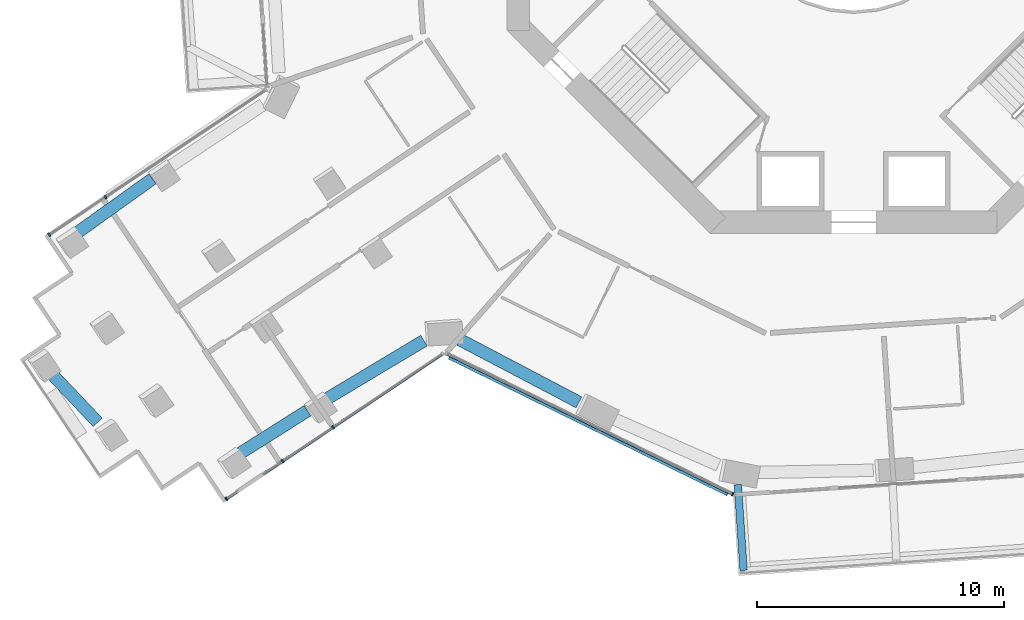
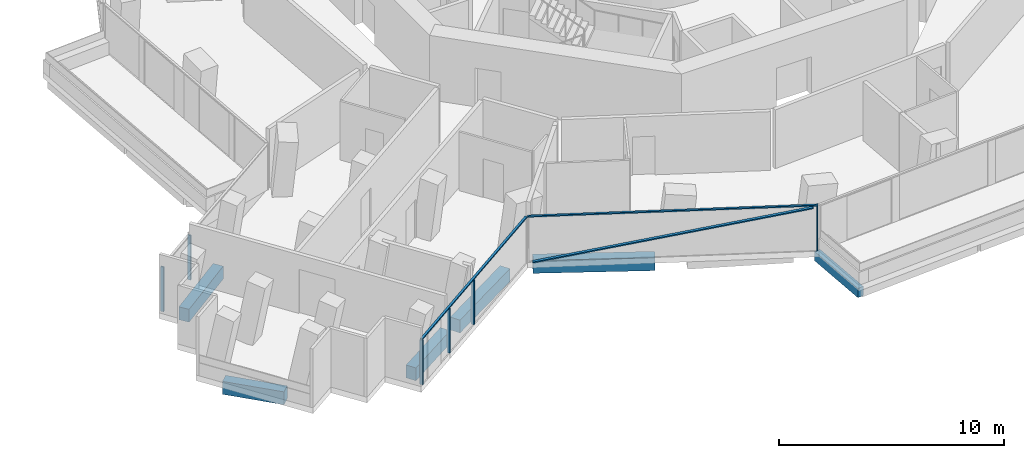
# One storey, part 2 of 25: 9 members, 6 beams, 3 elements without a shape of their own.
"""IFC4 building model written with IfcOpenShell, lengths in metres."""

from ifc_helpers import new_model, si_unit, direction, frame, origin, origin_2d, place, context, subcontext, project, spatial, rectangle, extrude, material, layer, layer_set, material_profile, profile_set, type_object, element, aggregate, save


model = new_model("IFC4")

# Units and contexts
model_context = context("Model", 3, precision=1e-05, world=origin(), true_north=direction((0.0, 1.0)))
body_context = subcontext(model_context, "Body", "Model", "MODEL_VIEW")
ifc_project = project(units=[si_unit("LENGTHUNIT", "METRE"), si_unit("AREAUNIT", "SQUARE_METRE"), si_unit("VOLUMEUNIT", "CUBIC_METRE"), si_unit("PLANEANGLEUNIT", "RADIAN"), si_unit("MASSUNIT", "GRAM", prefix="KILO")], contexts=[model_context])

# Site, building, storey
site_placement = place(None, origin())
site = spatial("IfcSite", under=ifc_project, at=site_placement, CompositionType="ELEMENT")
building_placement = place(site_placement, origin())
building = spatial("IfcBuilding", under=site, at=building_placement, Name="Verdalira Terraces Hotel", CompositionType="ELEMENT")
storey_placement = place(building_placement, frame((0.0, 0.0, 49.5)))
storey = spatial("IfcBuildingStorey", under=building, at=storey_placement, Name="L10", CompositionType="ELEMENT", Elevation=49.5)

# Beam
ifc_material_1 = material(Name="Concrete C40", Category="concrete")
ifc_material_profile_1 = material_profile(ifc_material_1, rectangle(XDim=0.300049, YDim=0.5, at=origin_2d()), Name="RC 300X500")
ifc_profile_set_1 = profile_set([ifc_material_profile_1], Name="Concrete C40")
beam_type_1 = type_object("IfcBeamType", Name="Balcony cantilever beam RC 300X500 C40", PredefinedType="BEAM", material=ifc_profile_set_1)
beam_1_placement = place(storey_placement, frame((-4.678223, -24.154297, -0.560059), z_axis=(0.066948416, -0.997756438, 0.0), x_axis=(0.997756438, 0.066948416, 0.0)))
element("IfcBeam", 1, at=beam_1_placement, inside=storey, type_object=beam_type_1, Name="Balcony cantilever beam R26-1", PredefinedType="BEAM", context=body_context, shape_type="SweptSolid", body=[
    extrude(rectangle(XDim=0.300049, YDim=0.5, at=origin_2d()), origin(), (0.0, 0.0, 1.0), 3.47168),
])

# Curtain wall, members
ifc_material_2 = material(Name="Clear glass", Category="glass")
ifc_layer_1 = layer(ifc_material_2, 0.14990234375)
ifc_layer_set_1 = layer_set([ifc_layer_1], Name="CW1 curtain wall")
curtain_wall_type_1 = type_object("IfcCurtainWallType", Name="CW1 curtain wall", PredefinedType="NOTDEFINED", material=ifc_layer_set_1)
curtain_wall_1_placement = place(storey_placement, origin())
curtain_wall_1 = element("IfcCurtainWall", 2, at=curtain_wall_1_placement, inside=storey, type_object=curtain_wall_type_1, Name="CW1 curtain wall L10 edge 25", PredefinedType="NOTDEFINED")
ifc_material_3 = material(Name="Terracotta frame", Category="masonry")
ifc_material_profile_2 = material_profile(ifc_material_3, rectangle(XDim=0.060059, YDim=0.149902, at=origin_2d()), Name="MU 60x150")
ifc_profile_set_2 = profile_set([ifc_material_profile_2], Name="Terracotta frame")
member_type_1 = type_object("IfcMemberType", Name="CW1 mullion 60x150", PredefinedType="MULLION", material=ifc_profile_set_2)
member_1_placement = place(storey_placement, frame((-4.890869, -24.541016, 0.0), z_axis=(0.0, 0.0, 1.0), x_axis=(0.89756638, -0.440879341, 0.0)))
member_1 = element("IfcMember", 3, at=member_1_placement, type_object=member_type_1, Name="CW1 mullion", PredefinedType="MULLION", context=body_context, shape_type="SweptSolid", body=[
    extrude(rectangle(XDim=0.060059, YDim=0.149902, at=origin_2d()), origin(), (0.0, 0.0, 1.0), 2.425049),
])
ifc_material_4 = material(Name="Terracotta frame", Category="masonry")
ifc_material_profile_3 = material_profile(ifc_material_4, rectangle(XDim=0.110107, YDim=0.064941, at=origin_2d()), Name="TR 65x110")
ifc_profile_set_3 = profile_set([ifc_material_profile_3], Name="Terracotta frame")
member_type_2 = type_object("IfcMemberType", Name="CW1 transom 65x110", PredefinedType="USERDEFINED", material=ifc_profile_set_3)
member_2_placement = place(storey_placement, frame((-16.496094, -18.840332, 2.45752), z_axis=(0.897562174, -0.440887905, 0.0), x_axis=(0.440887905, 0.897562174, 0.0)))
member_2 = element("IfcMember", 4, at=member_2_placement, type_object=member_type_2, Name="CW1 transom", ObjectType="TRANSOM", PredefinedType="USERDEFINED", context=body_context, shape_type="SweptSolid", body=[
    extrude(rectangle(XDim=0.110107, YDim=0.064941, at=origin_2d()), origin(), (0.0, 0.0, 1.0), 12.959961),
])

ifc_material_5 = material(Name="Clear glass", Category="glass")
ifc_layer_2 = layer(ifc_material_5, 0.14990234375)
ifc_layer_set_2 = layer_set([ifc_layer_2], Name="CW2 curtain wall")
curtain_wall_type_2 = type_object("IfcCurtainWallType", Name="CW2 curtain wall", PredefinedType="NOTDEFINED", material=ifc_layer_set_2)
curtain_wall_2_placement = place(storey_placement, origin())
curtain_wall_2 = element("IfcCurtainWall", 5, at=curtain_wall_2_placement, inside=storey, type_object=curtain_wall_type_2, Name="CW2 curtain wall L10 edge 14", PredefinedType="NOTDEFINED")
ifc_material_6 = material(Name="Terracotta frame", Category="masonry")
ifc_material_profile_4 = material_profile(ifc_material_6, rectangle(XDim=0.070068, YDim=0.149902, at=origin_2d()), Name="MU 70x150")
ifc_profile_set_4 = profile_set([ifc_material_profile_4], Name="Terracotta frame")
member_type_3 = type_object("IfcMemberType", Name="CW2 mullion 70x150", PredefinedType="MULLION", material=ifc_profile_set_4)
member_3_placement = place(storey_placement, frame((-30.22998, -12.532471, 0.0), z_axis=(0.0, 0.0, 1.0), x_axis=(-0.830595899, -0.556875616, 0.0)))
member_3 = element("IfcMember", 6, at=member_3_placement, type_object=member_type_3, Name="CW2 mullion", PredefinedType="MULLION", context=body_context, shape_type="SweptSolid", body=[
    extrude(rectangle(XDim=0.070068, YDim=0.149902, at=origin_2d()), origin(), (0.0, 0.0, 1.0), 2.425049),
])
member_4_placement = place(storey_placement, frame((-32.501709, -14.05542, 0.0), z_axis=(0.0, 0.0, 1.0), x_axis=(-0.830595899, -0.556875616, 0.0)))
member_4 = element("IfcMember", 7, at=member_4_placement, type_object=member_type_3, Name="CW2 mullion", PredefinedType="MULLION", context=body_context, shape_type="SweptSolid", body=[
    extrude(rectangle(XDim=0.070068, YDim=0.149902, at=origin_2d()), origin(), (0.0, 0.0, 1.0), 2.425049),
])
aggregate(curtain_wall_2, [member_3, member_4])

curtain_wall_3_placement = place(storey_placement, origin())
curtain_wall_3 = element("IfcCurtainWall", 8, at=curtain_wall_3_placement, inside=storey, type_object=curtain_wall_type_2, Name="CW2 curtain wall L10 edge 24", PredefinedType="NOTDEFINED")
member_5_placement = place(storey_placement, frame((-25.345947, -24.72876, 0.0), z_axis=(0.0, 0.0, 1.0), x_axis=(0.830595899, 0.556875616, 0.0)))
member_5 = element("IfcMember", 9, at=member_5_placement, type_object=member_type_3, Name="CW2 mullion", PredefinedType="MULLION", context=body_context, shape_type="SweptSolid", body=[
    extrude(rectangle(XDim=0.070068, YDim=0.149902, at=origin_2d()), origin(), (0.0, 0.0, 1.0), 2.425049),
])
member_6_placement = place(storey_placement, frame((-23.074219, -23.205566, 0.0), z_axis=(0.0, 0.0, 1.0), x_axis=(0.830595899, 0.556875616, 0.0)))
member_6 = element("IfcMember", 10, at=member_6_placement, type_object=member_type_3, Name="CW2 mullion", PredefinedType="MULLION", context=body_context, shape_type="SweptSolid", body=[
    extrude(rectangle(XDim=0.070068, YDim=0.149902, at=origin_2d()), origin(), (0.0, 0.0, 1.0), 2.425049),
])
member_7_placement = place(storey_placement, frame((-21.035156, -21.838623, 0.0), z_axis=(0.0, 0.0, 1.0), x_axis=(0.830595899, 0.556875616, 0.0)))
member_7 = element("IfcMember", 11, at=member_7_placement, type_object=member_type_3, Name="CW2 mullion", PredefinedType="MULLION", context=body_context, shape_type="SweptSolid", body=[
    extrude(rectangle(XDim=0.070068, YDim=0.149902, at=origin_2d()), origin(), (0.0, 0.0, 1.0), 2.425049),
])
ifc_material_7 = material(Name="Terracotta frame", Category="masonry")
ifc_material_profile_5 = material_profile(ifc_material_7, rectangle(XDim=0.11499, YDim=0.064941, at=origin_2d()), Name="TR 65x115")
ifc_profile_set_5 = profile_set([ifc_material_profile_5], Name="Terracotta frame")
member_type_4 = type_object("IfcMemberType", Name="CW2 transom 65x115", PredefinedType="USERDEFINED", material=ifc_profile_set_5)
member_8_placement = place(storey_placement, frame((-25.375, -24.748047, 2.45752), z_axis=(0.830598138, 0.556872277, 0.0), x_axis=(-0.556872277, 0.830598138, 0.0)))
member_8 = element("IfcMember", 12, at=member_8_placement, type_object=member_type_4, Name="CW2 transom", ObjectType="TRANSOM", PredefinedType="USERDEFINED", context=body_context, shape_type="SweptSolid", body=[
    extrude(rectangle(XDim=0.11499, YDim=0.064941, at=origin_2d()), origin(), (0.0, 0.0, 1.0), 10.599609),
])
aggregate(curtain_wall_3, [member_5, member_6, member_7, member_8])

# Member
ifc_material_8 = material(Name="Terracotta frame", Category="masonry")
ifc_material_profile_6 = material_profile(ifc_material_8, rectangle(XDim=0.149902, YDim=0.060059, at=origin_2d()), Name="GB 60x150")
ifc_profile_set_6 = profile_set([ifc_material_profile_6], Name="Terracotta frame")
member_type_5 = type_object("IfcMemberType", Name="Diagonal glazing bar 60x150", PredefinedType="USERDEFINED", material=ifc_profile_set_6)
member_9_placement = place(storey_placement, frame((-16.3396, -19.016357, 0.029785), z_axis=(0.881968193, -0.433226025, 0.185599883), x_axis=(0.440886246, 0.897562988, 0.0)))
member_9 = element("IfcMember", 13, at=member_9_placement, type_object=member_type_5, Name="Diagonal glazing bar", ObjectType="GLAZING BAR", PredefinedType="USERDEFINED", context=body_context, shape_type="SweptSolid", body=[
    extrude(rectangle(XDim=0.149902, YDim=0.060059, at=origin_2d()), origin(), (0.0, 0.0, 1.0), 12.745117),
])

aggregate(curtain_wall_1, [member_1, member_2, member_9])

# Beams
ifc_material_9 = material(Name="Concrete C70", Category="concrete")
ifc_material_profile_7 = material_profile(ifc_material_9, rectangle(XDim=0.5, YDim=0.699951, at=origin_2d()), Name="RC 500X700")
ifc_profile_set_7 = profile_set([ifc_material_profile_7], Name="Concrete C70")
beam_type_2 = type_object("IfcBeamType", Name="Spandrel beam RC 500X700 C70", PredefinedType="SPANDREL", material=ifc_profile_set_7)
beam_2_placement = place(storey_placement, frame((-28.329102, -11.794922, -0.659912), z_axis=(-0.8127504, -0.582612039, 0.0), x_axis=(0.582612039, -0.8127504, 0.0)))
element("IfcBeam", 14, at=beam_2_placement, inside=storey, type_object=beam_type_2, Name="Spandrel beam B15", PredefinedType="SPANDREL", context=body_context, shape_type="SweptSolid", body=[
    extrude(rectangle(XDim=0.5, YDim=0.699951, at=origin_2d()), origin(), (0.0, 0.0, 1.0), 3.696045),
])
beam_3_placement = place(storey_placement, frame((-32.513428, -19.556885, -0.659912), z_axis=(0.687236316, -0.726433924, 0.0), x_axis=(0.726433924, 0.687236316, 0.0)))
element("IfcBeam", 15, at=beam_3_placement, inside=storey, type_object=beam_type_2, Name="Spandrel beam B16", PredefinedType="SPANDREL", context=body_context, shape_type="SweptSolid", body=[
    extrude(rectangle(XDim=0.5, YDim=0.699951, at=origin_2d()), origin(), (0.0, 0.0, 1.0), 2.86499),
])
beam_4_placement = place(storey_placement, frame((-24.845215, -22.923828, -0.659912), z_axis=(0.845377588, 0.5341692, 0.0), x_axis=(-0.5341692, 0.845377588, 0.0)))
element("IfcBeam", 16, at=beam_4_placement, inside=storey, type_object=beam_type_2, Name="Spandrel beam B17", PredefinedType="SPANDREL", context=body_context, shape_type="SweptSolid", body=[
    extrude(rectangle(XDim=0.5, YDim=0.699951, at=origin_2d()), origin(), (0.0, 0.0, 1.0), 3.283936),
])
beam_5_placement = place(storey_placement, frame((-21.287842, -20.688965, -0.659912), z_axis=(0.857850314, 0.513899638, 0.0), x_axis=(-0.513899638, 0.857850314, 0.0)))
element("IfcBeam", 17, at=beam_5_placement, inside=storey, type_object=beam_type_2, Name="Spandrel beam B18", PredefinedType="SPANDREL", context=body_context, shape_type="SweptSolid", body=[
    extrude(rectangle(XDim=0.5, YDim=0.699951, at=origin_2d()), origin(), (0.0, 0.0, 1.0), 4.578369),
])
beam_6_placement = place(storey_placement, frame((-15.912842, -18.297119, -0.659912), z_axis=(0.885082721, -0.465433752, 0.0), x_axis=(0.465433752, 0.885082721, 0.0)))
element("IfcBeam", 18, at=beam_6_placement, inside=storey, type_object=beam_type_2, Name="Spandrel beam B19", PredefinedType="SPANDREL", context=body_context, shape_type="SweptSolid", body=[
    extrude(rectangle(XDim=0.5, YDim=0.699951, at=origin_2d()), origin(), (0.0, 0.0, 1.0), 5.438965),
])

save(model, "model.ifc")
